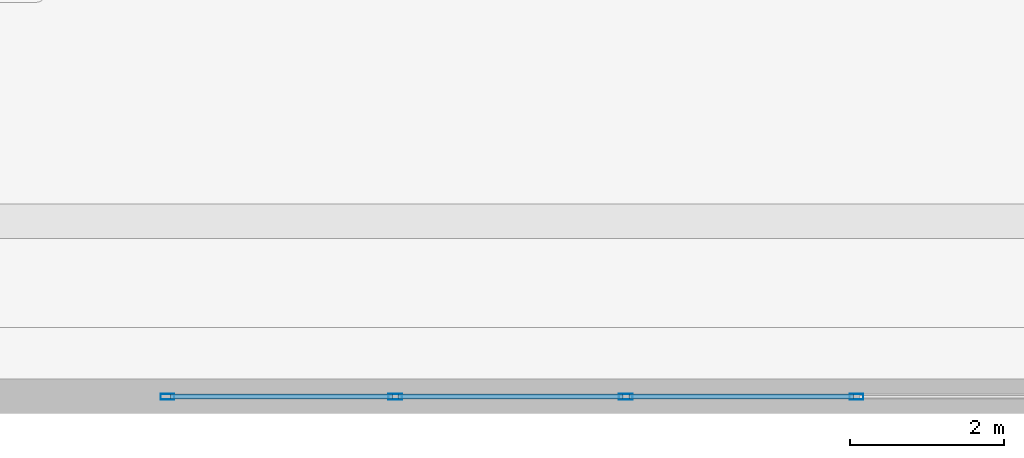
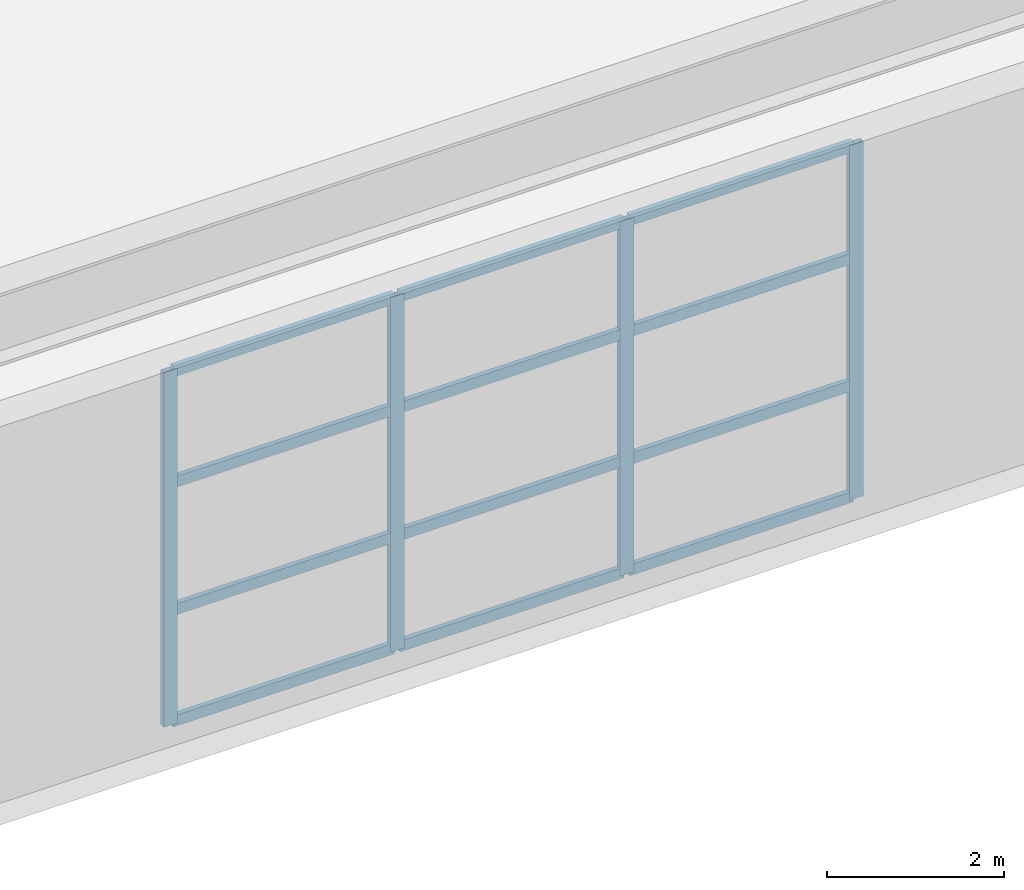
# One storey, part 6 of 35: 16 members, 1 element without a shape of its own.
"""IFC4 building model written with IfcOpenShell, lengths in metres."""

import ifcopenshell
import ifcopenshell.guid

model = None  # the IFC model being written
_history = None  # IfcOwnerHistory: only IFC2X3 demands one
_inside = {}  # id of a spatial element -> (the spatial element, [elements in it])
_under = {}  # id of a project, library or spatial element -> (it, [spatial elements below it])
_declared = {}  # id of a project -> (the project, [libraries it declares])
_typed = {}  # id of a type object -> (the type object, [elements of that type])
_made_of = {}  # id of a material, layer set ... -> (it, [elements and type objects made of it])


def new_model(schema):
    """Start an empty IFC model of exactly this schema.

    Asked for "IFC4X3", IfcOpenShell would pick the latest addendum, in which some entities
    have other attributes; the version numbers below select the first issue.
    IFC2X3 requires an IfcOwnerHistory on every rooted entity: one is made here for all.
    """
    global model, _history
    if schema == "IFC4X3":
        model = ifcopenshell.file(schema_version=(4, 3, 0, 0))
    else:
        model = ifcopenshell.file(schema=schema)
    _inside.clear()
    _under.clear()
    _declared.clear()
    _typed.clear()
    _made_of.clear()
    _history = None
    if model.schema == "IFC2X3":
        org = make("IfcOrganization", Name="unknown")
        user = make(
            "IfcPersonAndOrganization",
            ThePerson=make("IfcPerson", FamilyName="unknown"),
            TheOrganization=org,
        )
        app = make(
            "IfcApplication",
            ApplicationDeveloper=org,
            Version="unknown",
            ApplicationFullName="unknown",
            ApplicationIdentifier="unknown",
        )
        _history = make(
            "IfcOwnerHistory",
            OwningUser=user,
            OwningApplication=app,
            ChangeAction="ADDED",
            CreationDate=0,
        )
    return model


def make(cls, **values):
    """One entity of the class cls with the attributes given. An attribute that is None is left unset."""
    return model.create_entity(
        cls, **{name: value for name, value in values.items() if value is not None}
    )


def rooted(cls, **values):
    """An entity with a GlobalId (a new one), such as an element, a storey or a relation."""
    return make(cls, GlobalId=ifcopenshell.guid.new(), OwnerHistory=_history, **values)


def si_unit(unit_type, name, prefix=None):
    """IfcSIUnit, for example si_unit("LENGTHUNIT", "METRE", prefix="MILLI")."""
    return make("IfcSIUnit", UnitType=unit_type, Prefix=prefix, Name=name)


def assignment(units):
    """IfcUnitAssignment: the units of a project."""
    return None if units is None else make("IfcUnitAssignment", Units=units)


def point(xyz):
    """IfcCartesianPoint."""
    return None if xyz is None else make("IfcCartesianPoint", Coordinates=xyz)


def direction(xyz):
    """IfcDirection."""
    return None if xyz is None else make("IfcDirection", DirectionRatios=xyz)


def frame(location, z_axis=None, x_axis=None):
    """IfcAxis2Placement3D, a coordinate frame: its origin and axes. An axis left out is left unset."""
    return make(
        "IfcAxis2Placement3D",
        Location=point(location),
        Axis=direction(z_axis),
        RefDirection=direction(x_axis),
    )


def frame_2d(location, x_axis=None):
    """IfcAxis2Placement2D, a coordinate frame in the plane: its origin and x axis."""
    return make(
        "IfcAxis2Placement2D", Location=point(location), RefDirection=direction(x_axis)
    )


def origin():
    """The frame at (0, 0, 0) with its axes left unset."""
    return frame((0.0, 0.0, 0.0))


def origin_2d():
    """The frame at (0, 0) in the plane with its x axis left unset."""
    return frame_2d((0.0, 0.0))


def place(relative_to, where):
    """IfcLocalPlacement: puts the frame where relative to a parent placement (None: the world)."""
    return make(
        "IfcLocalPlacement", PlacementRelTo=relative_to, RelativePlacement=where
    )


def context(
    kind, dimensions, precision=None, world=None, true_north=None, identifier=None
):
    """IfcGeometricRepresentationContext, for example the 3D "Model" context."""
    return make(
        "IfcGeometricRepresentationContext",
        ContextIdentifier=identifier,
        ContextType=kind,
        CoordinateSpaceDimension=dimensions,
        Precision=precision,
        WorldCoordinateSystem=world,
        TrueNorth=true_north,
    )


def subcontext(parent, identifier, kind, view, scale=None):
    """IfcGeometricRepresentationSubContext, for example "Body" below "Model"."""
    return make(
        "IfcGeometricRepresentationSubContext",
        ContextIdentifier=identifier,
        ContextType=kind,
        ParentContext=parent,
        TargetScale=scale,
        TargetView=view,
    )


def project(units=None, contexts=None):
    """IfcProject with its units and contexts."""
    return rooted(
        "IfcProject",
        Name="project",
        RepresentationContexts=contexts,
        UnitsInContext=assignment(units),
    )


def spatial(cls, under=None, at=None, **own):
    """A site, building, storey or space (cls), placed at a placement, below another one or the project."""
    s = rooted(cls, ObjectPlacement=at, **own)
    if under is not None:
        _under.setdefault(under.id(), (under, []))[1].append(s)
    return s


def profile(cls, at=None, kind="AREA", **sizes):
    """A parametric profile (cls). Its sizes go by their IFC names, for example OverallWidth=200.0."""
    return make(cls, ProfileType=kind, Position=at, **sizes)


def hollow_rectangle(**sizes):
    """IfcRectangleHollowProfileDef."""
    return profile("IfcRectangleHollowProfileDef", **sizes)


def extrude(swept, where, along, depth):
    """IfcExtrudedAreaSolid: the profile swept, set in the frame where, extruded along a direction by depth."""
    return make(
        "IfcExtrudedAreaSolid",
        SweptArea=swept,
        Position=where,
        ExtrudedDirection=direction(along),
        Depth=depth,
    )


def shape(context_of_items, identifier, shape_type, items):
    """IfcShapeRepresentation: the items that make up one representation, for example the "Body"."""
    return make(
        "IfcShapeRepresentation",
        ContextOfItems=context_of_items,
        RepresentationIdentifier=identifier,
        RepresentationType=shape_type,
        Items=items,
    )


def material(Name=None, Category=None):
    """IfcMaterial."""
    return make("IfcMaterial", Name=Name, Category=Category)


def layer(
    of_material, thickness, ventilated=None, Name=None, Category=None, Priority=None
):
    """IfcMaterialLayer: one layer of a wall or slab, of a material (None: an air gap)."""
    return make(
        "IfcMaterialLayer",
        Material=of_material,
        LayerThickness=thickness,
        IsVentilated=ventilated,
        Name=Name,
        Category=Category,
        Priority=Priority,
    )


def layer_set(layers, Name=None):
    """IfcMaterialLayerSet."""
    return make("IfcMaterialLayerSet", MaterialLayers=layers, LayerSetName=Name)


def material_profile(
    of_material, cross_section, Name=None, Category=None, Priority=None
):
    """IfcMaterialProfile: a cross section and its material."""
    return make(
        "IfcMaterialProfile",
        Name=Name,
        Material=of_material,
        Profile=cross_section,
        Priority=Priority,
        Category=Category,
    )


def profile_set(profiles, Name=None, composite=None):
    """IfcMaterialProfileSet."""
    return make(
        "IfcMaterialProfileSet",
        Name=Name,
        MaterialProfiles=profiles,
        CompositeProfile=composite,
    )


def made_of(thing, what):
    """Note that an element or type object is made of a material, layer set ...; save() writes the relation."""
    if what is not None:
        _made_of.setdefault(what.id(), (what, []))[1].append(thing)
    return thing


def type_object(cls, material=None, **own):
    """A type object (cls), such as IfcWallType, which elements share."""
    return made_of(rooted(cls, **own), material)


def element(
    cls,
    number,
    at=None,
    inside=None,
    cuts=None,
    type_object=None,
    material=None,
    context=None,
    identifier="Body",
    shape_type=None,
    held_by="IfcProductDefinitionShape",
    body=None,
    shapes=None,
    **own,
):
    """One element of the class cls, such as IfcWall. Its Tag is "e" and its number.

    at: its placement. inside: the storey or other place that contains it. cuts: it is an
    opening in that element (IfcRelVoidsElement). A single representation is given by context,
    identifier, shape_type and body (its items); several are given by shapes. held_by: the class
    of the entity that holds the representations. save() writes the other relations.
    """
    e = rooted(cls, Tag="e%d" % number, ObjectPlacement=at, **own)
    if body is not None:
        shapes = [shape(context, identifier, shape_type, body)]
    if shapes is not None:
        e.Representation = make(held_by, Representations=shapes)
    if inside is not None:
        _inside.setdefault(inside.id(), (inside, []))[1].append(e)
    if cuts is not None:
        rooted(
            "IfcRelVoidsElement", RelatingBuildingElement=cuts, RelatedOpeningElement=e
        )
    if type_object is not None:
        _typed.setdefault(type_object.id(), (type_object, []))[1].append(e)
    return made_of(e, material)


def aggregate(whole, parts):
    """IfcRelAggregates: a whole, such as a stair, and the parts it consists of."""
    return rooted("IfcRelAggregates", RelatingObject=whole, RelatedObjects=parts)


def save(model, path):
    """Write the relations noted so far, then the file.

    IfcRelAggregates (storeys below a building ...), IfcRelContainedInSpatialStructure (elements
    in a storey), IfcRelDefinesByType, IfcRelAssociatesMaterial and IfcRelDeclares: one each for
    every whole, place, type object, material and project.
    """
    for whole, parts in _under.values():
        aggregate(whole, parts)
    for where, things in _inside.values():
        rooted(
            "IfcRelContainedInSpatialStructure",
            RelatedElements=things,
            RelatingStructure=where,
        )
    for kind, things in _typed.values():
        rooted("IfcRelDefinesByType", RelatedObjects=things, RelatingType=kind)
    for what, things in _made_of.values():
        rooted("IfcRelAssociatesMaterial", RelatedObjects=things, RelatingMaterial=what)
    for by, libraries in _declared.values():
        rooted("IfcRelDeclares", RelatingContext=by, RelatedDefinitions=libraries)
    model.write(path)


model = new_model("IFC4")

# Units and contexts
model_context = context("Model", 3, precision=1e-05, world=origin(), true_north=direction((0.0, 1.0)))
body_context = subcontext(model_context, "Body", "Model", "MODEL_VIEW")
ifc_project = project(units=[si_unit("LENGTHUNIT", "METRE"), si_unit("AREAUNIT", "SQUARE_METRE"), si_unit("VOLUMEUNIT", "CUBIC_METRE"), si_unit("PLANEANGLEUNIT", "RADIAN"), si_unit("MASSUNIT", "GRAM", prefix="KILO")], contexts=[model_context])

# Site, building, storey
site_placement = place(None, origin())
site = spatial("IfcSite", under=ifc_project, at=site_placement, CompositionType="ELEMENT")
building_placement = place(site_placement, origin())
building = spatial("IfcBuilding", under=site, at=building_placement, Name="Qiaolan Cultural Towers", CompositionType="ELEMENT")
storey_placement = place(building_placement, frame((0.0, 0.0, 6.0)))
storey = spatial("IfcBuildingStorey", under=building, at=storey_placement, Name="L01", CompositionType="ELEMENT", Elevation=6.0)

# Curtain wall, members
ifc_material_1 = material(Name="Unitized Anodized Aluminium Curtain Wall System", Category="aluminium")
ifc_layer = layer(ifc_material_1, 0.199951171875)
ifc_layer_set = layer_set([ifc_layer], Name="Unitized Anodized Aluminium Curtain Wall System")
curtain_wall_type = type_object("IfcCurtainWallType", Name="CWS-01", PredefinedType="NOTDEFINED", material=ifc_layer_set)
curtain_wall_placement = place(storey_placement, origin())
curtain_wall = element("IfcCurtainWall", 1, at=curtain_wall_placement, inside=storey, type_object=curtain_wall_type, Name="L01 South Atrium Curtain Wall", PredefinedType="NOTDEFINED")
ifc_material_2 = material(Name="Extruded Aluminium 6063-T6", Category="aluminium")
ifc_material_profile_1 = material_profile(ifc_material_2, hollow_rectangle(XDim=0.074951171875, YDim=0.179931640625, WallThickness=0.00390625, at=origin_2d()), Name="CWM-180x75x4")
ifc_profile_set_1 = profile_set([ifc_material_profile_1], Name="Extruded Aluminium 6063-T6")
member_type_1 = type_object("IfcMemberType", Name="CWS-01-MUL", PredefinedType="MULLION", material=ifc_profile_set_1)
member_1_placement = place(storey_placement, frame((50.03759765625, 0.219970703125, 0.14990234375), z_axis=(0.0, 0.0, 1.0), x_axis=(0.0, 1.0, 0.0)))
member_1 = element("IfcMember", 2, at=member_1_placement, type_object=member_type_1, Name="CW-1 mullion 1", PredefinedType="MULLION", context=body_context, shape_type="SweptSolid", body=[
    extrude(hollow_rectangle(XDim=0.074951171875, YDim=0.179931640625, WallThickness=0.00390625, at=origin_2d()), origin(), (0.0, 0.0, 1.0), 4.900146484375),
])
member_2_placement = place(storey_placement, frame((53.0, 0.219970703125, 0.14990234375), z_axis=(0.0, 0.0, 1.0), x_axis=(0.0, 1.0, 0.0)))
member_2 = element("IfcMember", 3, at=member_2_placement, type_object=member_type_1, Name="CW-1 mullion 2", PredefinedType="MULLION", context=body_context, shape_type="SweptSolid", body=[
    extrude(hollow_rectangle(XDim=0.074951171875, YDim=0.179931640625, WallThickness=0.00390625, at=origin_2d()), origin(), (0.0, 0.0, 1.0), 4.900146484375),
])
member_3_placement = place(storey_placement, frame((56.0, 0.219970703125, 0.14990234375), z_axis=(0.0, 0.0, 1.0), x_axis=(0.0, 1.0, 0.0)))
member_3 = element("IfcMember", 4, at=member_3_placement, type_object=member_type_1, Name="CW-1 mullion 3", PredefinedType="MULLION", context=body_context, shape_type="SweptSolid", body=[
    extrude(hollow_rectangle(XDim=0.074951171875, YDim=0.179931640625, WallThickness=0.00390625, at=origin_2d()), origin(), (0.0, 0.0, 1.0), 4.900146484375),
])
member_4_placement = place(storey_placement, frame((59.0, 0.219970703125, 0.14990234375), z_axis=(0.0, 0.0, 1.0), x_axis=(0.0, 1.0, 0.0)))
member_4 = element("IfcMember", 5, at=member_4_placement, type_object=member_type_1, Name="CW-1 mullion 4", PredefinedType="MULLION", context=body_context, shape_type="SweptSolid", body=[
    extrude(hollow_rectangle(XDim=0.074951171875, YDim=0.179931640625, WallThickness=0.00390625, at=origin_2d()), origin(), (0.0, 0.0, 1.0), 4.900146484375),
])
ifc_material_3 = material(Name="Extruded Aluminium 6063-T6", Category="aluminium")
ifc_material_profile_2 = material_profile(ifc_material_3, hollow_rectangle(XDim=0.06494140625, YDim=0.14990234375, WallThickness=0.00390625, at=origin_2d()), Name="CWT-150x65x4")
ifc_profile_set_2 = profile_set([ifc_material_profile_2], Name="Extruded Aluminium 6063-T6")
member_type_2 = type_object("IfcMemberType", Name="CWS-01-TRN", PredefinedType="USERDEFINED", material=ifc_profile_set_2)
member_5_placement = place(storey_placement, frame((50.074951171875, 0.219970703125, 0.1826171875), z_axis=(1.0, 0.0, 0.0), x_axis=(0.0, 1.0, 0.0)))
member_5 = element("IfcMember", 6, at=member_5_placement, type_object=member_type_2, Name="CW-1 transom 1.1", ObjectType="TRANSOM", PredefinedType="USERDEFINED", context=body_context, shape_type="SweptSolid", body=[
    extrude(hollow_rectangle(XDim=0.06494140625, YDim=0.14990234375, WallThickness=0.00390625, at=origin_2d()), origin(), (0.0, 0.0, 1.0), 2.887451171875),
])
member_6_placement = place(storey_placement, frame((50.074951171875, 0.219970703125, 1.719970703125), z_axis=(1.0, 0.0, 0.0), x_axis=(0.0, 1.0, 0.0)))
member_6 = element("IfcMember", 7, at=member_6_placement, type_object=member_type_2, Name="CW-1 transom 1.2", ObjectType="TRANSOM", PredefinedType="USERDEFINED", context=body_context, shape_type="SweptSolid", body=[
    extrude(hollow_rectangle(XDim=0.06494140625, YDim=0.14990234375, WallThickness=0.00390625, at=origin_2d()), origin(), (0.0, 0.0, 1.0), 2.887451171875),
])
member_7_placement = place(storey_placement, frame((50.074951171875, 0.219970703125, 3.47998046875), z_axis=(1.0, 0.0, 0.0), x_axis=(0.0, 1.0, 0.0)))
member_7 = element("IfcMember", 8, at=member_7_placement, type_object=member_type_2, Name="CW-1 transom 1.3", ObjectType="TRANSOM", PredefinedType="USERDEFINED", context=body_context, shape_type="SweptSolid", body=[
    extrude(hollow_rectangle(XDim=0.06494140625, YDim=0.14990234375, WallThickness=0.00390625, at=origin_2d()), origin(), (0.0, 0.0, 1.0), 2.887451171875),
])
member_8_placement = place(storey_placement, frame((50.074951171875, 0.219970703125, 5.017578125), z_axis=(1.0, 0.0, 0.0), x_axis=(0.0, 1.0, 0.0)))
member_8 = element("IfcMember", 9, at=member_8_placement, type_object=member_type_2, Name="CW-1 transom 1.4", ObjectType="TRANSOM", PredefinedType="USERDEFINED", context=body_context, shape_type="SweptSolid", body=[
    extrude(hollow_rectangle(XDim=0.06494140625, YDim=0.14990234375, WallThickness=0.00390625, at=origin_2d()), origin(), (0.0, 0.0, 1.0), 2.887451171875),
])
member_9_placement = place(storey_placement, frame((53.03759765625, 0.219970703125, 0.1826171875), z_axis=(1.0, 0.0, 0.0), x_axis=(0.0, 1.0, 0.0)))
member_9 = element("IfcMember", 10, at=member_9_placement, type_object=member_type_2, Name="CW-1 transom 2.1", ObjectType="TRANSOM", PredefinedType="USERDEFINED", context=body_context, shape_type="SweptSolid", body=[
    extrude(hollow_rectangle(XDim=0.06494140625, YDim=0.14990234375, WallThickness=0.00390625, at=origin_2d()), origin(), (0.0, 0.0, 1.0), 2.9248046875),
])
member_10_placement = place(storey_placement, frame((53.03759765625, 0.219970703125, 1.719970703125), z_axis=(1.0, 0.0, 0.0), x_axis=(0.0, 1.0, 0.0)))
member_10 = element("IfcMember", 11, at=member_10_placement, type_object=member_type_2, Name="CW-1 transom 2.2", ObjectType="TRANSOM", PredefinedType="USERDEFINED", context=body_context, shape_type="SweptSolid", body=[
    extrude(hollow_rectangle(XDim=0.06494140625, YDim=0.14990234375, WallThickness=0.00390625, at=origin_2d()), origin(), (0.0, 0.0, 1.0), 2.9248046875),
])
member_11_placement = place(storey_placement, frame((53.03759765625, 0.219970703125, 3.47998046875), z_axis=(1.0, 0.0, 0.0), x_axis=(0.0, 1.0, 0.0)))
member_11 = element("IfcMember", 12, at=member_11_placement, type_object=member_type_2, Name="CW-1 transom 2.3", ObjectType="TRANSOM", PredefinedType="USERDEFINED", context=body_context, shape_type="SweptSolid", body=[
    extrude(hollow_rectangle(XDim=0.06494140625, YDim=0.14990234375, WallThickness=0.00390625, at=origin_2d()), origin(), (0.0, 0.0, 1.0), 2.9248046875),
])
member_12_placement = place(storey_placement, frame((53.03759765625, 0.219970703125, 5.017578125), z_axis=(1.0, 0.0, 0.0), x_axis=(0.0, 1.0, 0.0)))
member_12 = element("IfcMember", 13, at=member_12_placement, type_object=member_type_2, Name="CW-1 transom 2.4", ObjectType="TRANSOM", PredefinedType="USERDEFINED", context=body_context, shape_type="SweptSolid", body=[
    extrude(hollow_rectangle(XDim=0.06494140625, YDim=0.14990234375, WallThickness=0.00390625, at=origin_2d()), origin(), (0.0, 0.0, 1.0), 2.9248046875),
])
member_13_placement = place(storey_placement, frame((56.03759765625, 0.219970703125, 0.1826171875), z_axis=(1.0, 0.0, 0.0), x_axis=(0.0, 1.0, 0.0)))
member_13 = element("IfcMember", 14, at=member_13_placement, type_object=member_type_2, Name="CW-1 transom 3.1", ObjectType="TRANSOM", PredefinedType="USERDEFINED", context=body_context, shape_type="SweptSolid", body=[
    extrude(hollow_rectangle(XDim=0.06494140625, YDim=0.14990234375, WallThickness=0.00390625, at=origin_2d()), origin(), (0.0, 0.0, 1.0), 2.9248046875),
])
member_14_placement = place(storey_placement, frame((56.03759765625, 0.219970703125, 1.719970703125), z_axis=(1.0, 0.0, 0.0), x_axis=(0.0, 1.0, 0.0)))
member_14 = element("IfcMember", 15, at=member_14_placement, type_object=member_type_2, Name="CW-1 transom 3.2", ObjectType="TRANSOM", PredefinedType="USERDEFINED", context=body_context, shape_type="SweptSolid", body=[
    extrude(hollow_rectangle(XDim=0.06494140625, YDim=0.14990234375, WallThickness=0.00390625, at=origin_2d()), origin(), (0.0, 0.0, 1.0), 2.9248046875),
])
member_15_placement = place(storey_placement, frame((56.03759765625, 0.219970703125, 3.47998046875), z_axis=(1.0, 0.0, 0.0), x_axis=(0.0, 1.0, 0.0)))
member_15 = element("IfcMember", 16, at=member_15_placement, type_object=member_type_2, Name="CW-1 transom 3.3", ObjectType="TRANSOM", PredefinedType="USERDEFINED", context=body_context, shape_type="SweptSolid", body=[
    extrude(hollow_rectangle(XDim=0.06494140625, YDim=0.14990234375, WallThickness=0.00390625, at=origin_2d()), origin(), (0.0, 0.0, 1.0), 2.9248046875),
])
member_16_placement = place(storey_placement, frame((56.03759765625, 0.219970703125, 5.017578125), z_axis=(1.0, 0.0, 0.0), x_axis=(0.0, 1.0, 0.0)))
member_16 = element("IfcMember", 17, at=member_16_placement, type_object=member_type_2, Name="CW-1 transom 3.4", ObjectType="TRANSOM", PredefinedType="USERDEFINED", context=body_context, shape_type="SweptSolid", body=[
    extrude(hollow_rectangle(XDim=0.06494140625, YDim=0.14990234375, WallThickness=0.00390625, at=origin_2d()), origin(), (0.0, 0.0, 1.0), 2.9248046875),
])
aggregate(curtain_wall, [member_1, member_2, member_3, member_4, member_5, member_6, member_7, member_8, member_9, member_10, member_11, member_12, member_13, member_14, member_15, member_16])

save(model, "model.ifc")
